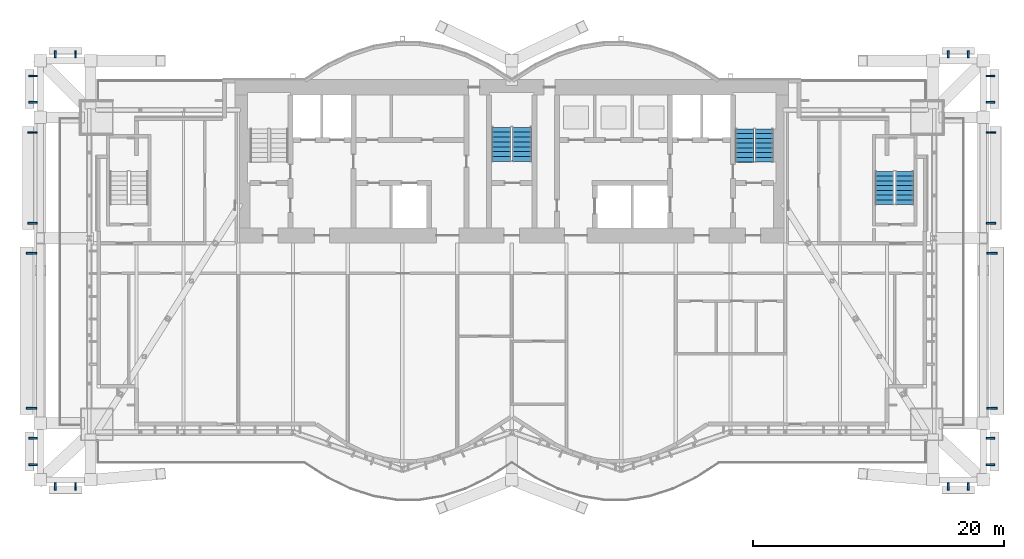
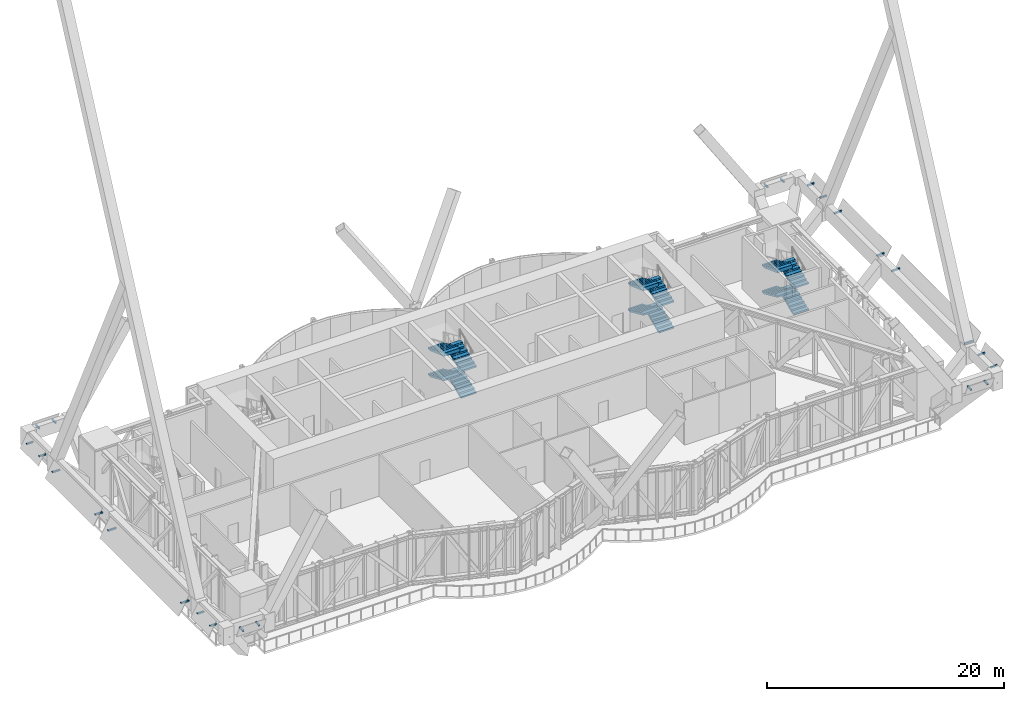
# One storey, part 27 of 31: 24 discrete accessories, 12 stair flights, 3 elements without a shape of their own.
"""IFC4 building model written with IfcOpenShell, lengths in metres."""

from ifc_helpers import new_model, si_unit, direction, frame, origin, origin_2d, place, context, subcontext, project, spatial, polyline, rectangle, outline, extrude, material, type_object, element, aggregate, save


model = new_model("IFC4")

# Units and contexts
model_context = context("Model", 3, precision=1e-05, world=origin(), true_north=direction((0.0, 1.0)))
body_context = subcontext(model_context, "Body", "Model", "MODEL_VIEW")
ifc_project = project(units=[si_unit("LENGTHUNIT", "METRE"), si_unit("AREAUNIT", "SQUARE_METRE"), si_unit("VOLUMEUNIT", "CUBIC_METRE"), si_unit("PLANEANGLEUNIT", "RADIAN"), si_unit("MASSUNIT", "GRAM", prefix="KILO")], contexts=[model_context])

# Site, building, storey
site_placement = place(None, origin())
site = spatial("IfcSite", under=ifc_project, at=site_placement, CompositionType="ELEMENT")
building_placement = place(site_placement, origin())
building = spatial("IfcBuilding", under=site, at=building_placement, Name="Bicima Exchange Tower", CompositionType="ELEMENT")
storey_placement = place(building_placement, frame((0.0, 0.0, 236.0)))
storey = spatial("IfcBuildingStorey", under=building, at=storey_placement, Name="L53", CompositionType="ELEMENT", Elevation=236.0)

# Stair, stair flights
ifc_material_1 = material(Name="Concrete C50/60", Category="concrete")
stair_type_1 = type_object("IfcStairType", Name="Exit stair", PredefinedType="HALF_TURN_STAIR", material=ifc_material_1)
stair_1_placement = place(storey_placement, origin())
stair_1 = element("IfcStair", 1, at=stair_1_placement, inside=storey, type_object=stair_type_1, Name="L53 East exit stair", PredefinedType="HALF_TURN_STAIR")
stair_flight_type_1 = type_object("IfcStairFlightType", Name="Stair flight RC", PredefinedType="STRAIGHT", material=ifc_material_1)
stair_flight_1_placement = place(storey_placement, frame((20.074951171875, -6.550048828125, 0.0), z_axis=(0.0, 0.0, 1.0), x_axis=(0.0, 1.0, 0.0)))
stair_flight_1 = element("IfcStairFlight", 2, at=stair_flight_1_placement, type_object=stair_flight_type_1, Name="ST-E flight 1", NumberOfRisers=8, NumberOfTreads=7, PredefinedType="STRAIGHT", RiserHeight=0.16875, TreadLength=0.375714286, context=body_context, shape_type="SweptSolid", body=[
    extrude(outline(polyline([(0.0, 0.0), (0.0, 0.168701171875), (0.375732421875, 0.168701171875), (0.375732421875, 0.33740234375), (0.75146484375, 0.33740234375), (0.75146484375, 0.50634765625), (1.127197265625, 0.50634765625), (1.127197265625, 0.675048828125), (1.5029296875, 0.675048828125), (1.5029296875, 0.84375), (1.878662109375, 0.84375), (1.878662109375, 1.012451171875), (2.25439453125, 1.012451171875), (2.25439453125, 1.18115234375), (2.6298828125, 1.18115234375), (2.6298828125, 1.35009765625), (2.6298828125, 1.016845703125), (0.365966796875, 0.0), (0.0, 0.0)])), frame((0.0, 0.72509765625, 0.0), z_axis=(0.0, -1.0, 0.0), x_axis=(1.0, 0.0, 0.0)), (0.0, 0.0, 1.0), 1.449951171875),
])
stair_flight_2_placement = place(storey_placement, frame((18.52490234375, -3.919921875, 1.35009765625), z_axis=(0.0, 0.0, 1.0), x_axis=(0.0, -1.0, 0.0)))
stair_flight_2 = element("IfcStairFlight", 3, at=stair_flight_2_placement, type_object=stair_flight_type_1, Name="ST-E flight 2", NumberOfRisers=8, NumberOfTreads=7, PredefinedType="STRAIGHT", RiserHeight=0.16875, TreadLength=0.375714286, context=body_context, shape_type="SweptSolid", body=[
    extrude(outline(polyline([(0.0, 0.0), (0.0, 0.168701171875), (0.375732421875, 0.168701171875), (0.375732421875, 0.33740234375), (0.75146484375, 0.33740234375), (0.75146484375, 0.50634765625), (1.127197265625, 0.50634765625), (1.127197265625, 0.675048828125), (1.5029296875, 0.675048828125), (1.5029296875, 0.84375), (1.878662109375, 0.84375), (1.878662109375, 1.012451171875), (2.25439453125, 1.012451171875), (2.25439453125, 1.18115234375), (2.6298828125, 1.18115234375), (2.6298828125, 1.35009765625), (2.6298828125, 1.016845703125), (0.365966796875, 0.0), (0.0, 0.0)])), frame((0.0, 0.72509765625, 0.0), z_axis=(0.0, -1.0, 0.0), x_axis=(1.0, 0.0, 0.0)), (0.0, 0.0, 1.0), 1.449951171875),
])
stair_flight_3_placement = place(storey_placement, frame((20.074951171875, -6.550048828125, 2.699951171875), z_axis=(0.0, 0.0, 1.0), x_axis=(0.0, 1.0, 0.0)))
stair_flight_3 = element("IfcStairFlight", 4, at=stair_flight_3_placement, type_object=stair_flight_type_1, Name="ST-E flight 3", NumberOfRisers=8, NumberOfTreads=7, PredefinedType="STRAIGHT", RiserHeight=0.16875, TreadLength=0.375714286, context=body_context, shape_type="SweptSolid", body=[
    extrude(outline(polyline([(0.0, 0.0), (0.0, 0.168701171875), (0.375732421875, 0.168701171875), (0.375732421875, 0.33740234375), (0.75146484375, 0.33740234375), (0.75146484375, 0.50634765625), (1.127197265625, 0.50634765625), (1.127197265625, 0.675048828125), (1.5029296875, 0.675048828125), (1.5029296875, 0.84375), (1.878662109375, 0.84375), (1.878662109375, 1.012451171875), (2.25439453125, 1.012451171875), (2.25439453125, 1.18115234375), (2.6298828125, 1.18115234375), (2.6298828125, 1.35009765625), (2.6298828125, 1.016845703125), (0.365966796875, 0.0), (0.0, 0.0)])), frame((0.0, 0.72509765625, 0.0), z_axis=(0.0, -1.0, 0.0), x_axis=(1.0, 0.0, 0.0)), (0.0, 0.0, 1.0), 1.449951171875),
])
stair_flight_4_placement = place(storey_placement, frame((18.52490234375, -3.919921875, 4.050048828125), z_axis=(0.0, 0.0, 1.0), x_axis=(0.0, -1.0, 0.0)))
stair_flight_4 = element("IfcStairFlight", 5, at=stair_flight_4_placement, type_object=stair_flight_type_1, Name="ST-E flight 4", NumberOfRisers=8, NumberOfTreads=7, PredefinedType="STRAIGHT", RiserHeight=0.16875, TreadLength=0.375714286, context=body_context, shape_type="SweptSolid", body=[
    extrude(outline(polyline([(0.0, 0.0), (0.0, 0.168701171875), (0.375732421875, 0.168701171875), (0.375732421875, 0.33740234375), (0.75146484375, 0.33740234375), (0.75146484375, 0.50634765625), (1.127197265625, 0.50634765625), (1.127197265625, 0.675048828125), (1.5029296875, 0.675048828125), (1.5029296875, 0.84375), (1.878662109375, 0.84375), (1.878662109375, 1.012451171875), (2.25439453125, 1.012451171875), (2.25439453125, 1.18115234375), (2.6298828125, 1.18115234375), (2.6298828125, 1.2041015625), (2.64501953125, 1.2041015625), (2.64501953125, 0.85498046875), (0.365966796875, 0.0), (0.0, 0.0)])), frame((0.0, 0.72509765625, 0.0), z_axis=(0.0, -1.0, 0.0), x_axis=(1.0, 0.0, 0.0)), (0.0, 0.0, 1.0), 1.449951171875),
])
aggregate(stair_1, [stair_flight_1, stair_flight_2, stair_flight_3, stair_flight_4])

stair_2_placement = place(storey_placement, origin())
stair_2 = element("IfcStair", 6, at=stair_2_placement, inside=storey, type_object=stair_type_1, Name="L53 East end exit stair", PredefinedType="HALF_TURN_STAIR")
stair_flight_5_placement = place(storey_placement, frame((31.25, -9.925048828125, 0.0), z_axis=(0.0, 0.0, 1.0), x_axis=(0.0, 1.0, 0.0)))
stair_flight_5 = element("IfcStairFlight", 7, at=stair_flight_5_placement, type_object=stair_flight_type_1, Name="ST-EE flight 1", NumberOfRisers=8, NumberOfTreads=7, PredefinedType="STRAIGHT", RiserHeight=0.16875, TreadLength=0.375714286, context=body_context, shape_type="SweptSolid", body=[
    extrude(outline(polyline([(0.0, 0.0), (0.0, 0.168701171875), (0.375732421875, 0.168701171875), (0.375732421875, 0.33740234375), (0.75146484375, 0.33740234375), (0.75146484375, 0.50634765625), (1.127197265625, 0.50634765625), (1.127197265625, 0.675048828125), (1.5029296875, 0.675048828125), (1.5029296875, 0.84375), (1.878662109375, 0.84375), (1.878662109375, 1.012451171875), (2.25439453125, 1.012451171875), (2.25439453125, 1.18115234375), (2.6298828125, 1.18115234375), (2.6298828125, 1.35009765625), (2.6298828125, 1.016845703125), (0.365966796875, 0.0), (0.0, 0.0)])), frame((0.0, 0.72509765625, 0.0), z_axis=(0.0, -1.0, 0.0), x_axis=(1.0, 0.0, 0.0)), (0.0, 0.0, 1.0), 1.449951171875),
])
stair_flight_6_placement = place(storey_placement, frame((29.64990234375, -7.294921875, 1.35009765625), z_axis=(0.0, 0.0, 1.0), x_axis=(0.0, -1.0, 0.0)))
stair_flight_6 = element("IfcStairFlight", 8, at=stair_flight_6_placement, type_object=stair_flight_type_1, Name="ST-EE flight 2", NumberOfRisers=8, NumberOfTreads=7, PredefinedType="STRAIGHT", RiserHeight=0.16875, TreadLength=0.375714286, context=body_context, shape_type="SweptSolid", body=[
    extrude(outline(polyline([(0.0, 0.0), (0.0, 0.168701171875), (0.375732421875, 0.168701171875), (0.375732421875, 0.33740234375), (0.75146484375, 0.33740234375), (0.75146484375, 0.50634765625), (1.127197265625, 0.50634765625), (1.127197265625, 0.675048828125), (1.5029296875, 0.675048828125), (1.5029296875, 0.84375), (1.878662109375, 0.84375), (1.878662109375, 1.012451171875), (2.25439453125, 1.012451171875), (2.25439453125, 1.18115234375), (2.6298828125, 1.18115234375), (2.6298828125, 1.35009765625), (2.6298828125, 1.016845703125), (0.365966796875, 0.0), (0.0, 0.0)])), frame((0.0, 0.72509765625, 0.0), z_axis=(0.0, -1.0, 0.0), x_axis=(1.0, 0.0, 0.0)), (0.0, 0.0, 1.0), 1.449951171875),
])
stair_flight_7_placement = place(storey_placement, frame((31.25, -9.925048828125, 2.699951171875), z_axis=(0.0, 0.0, 1.0), x_axis=(0.0, 1.0, 0.0)))
stair_flight_7 = element("IfcStairFlight", 9, at=stair_flight_7_placement, type_object=stair_flight_type_1, Name="ST-EE flight 3", NumberOfRisers=8, NumberOfTreads=7, PredefinedType="STRAIGHT", RiserHeight=0.16875, TreadLength=0.375714286, context=body_context, shape_type="SweptSolid", body=[
    extrude(outline(polyline([(0.0, 0.0), (0.0, 0.168701171875), (0.375732421875, 0.168701171875), (0.375732421875, 0.33740234375), (0.75146484375, 0.33740234375), (0.75146484375, 0.50634765625), (1.127197265625, 0.50634765625), (1.127197265625, 0.675048828125), (1.5029296875, 0.675048828125), (1.5029296875, 0.84375), (1.878662109375, 0.84375), (1.878662109375, 1.012451171875), (2.25439453125, 1.012451171875), (2.25439453125, 1.18115234375), (2.6298828125, 1.18115234375), (2.6298828125, 1.35009765625), (2.6298828125, 1.016845703125), (0.365966796875, 0.0), (0.0, 0.0)])), frame((0.0, 0.72509765625, 0.0), z_axis=(0.0, -1.0, 0.0), x_axis=(1.0, 0.0, 0.0)), (0.0, 0.0, 1.0), 1.449951171875),
])
stair_flight_8_placement = place(storey_placement, frame((29.64990234375, -7.294921875, 4.050048828125), z_axis=(0.0, 0.0, 1.0), x_axis=(0.0, -1.0, 0.0)))
stair_flight_8 = element("IfcStairFlight", 10, at=stair_flight_8_placement, type_object=stair_flight_type_1, Name="ST-EE flight 4", NumberOfRisers=8, NumberOfTreads=7, PredefinedType="STRAIGHT", RiserHeight=0.16875, TreadLength=0.375714286, context=body_context, shape_type="SweptSolid", body=[
    extrude(outline(polyline([(0.0, 0.0), (0.0, 0.168701171875), (0.375732421875, 0.168701171875), (0.375732421875, 0.33740234375), (0.75146484375, 0.33740234375), (0.75146484375, 0.50634765625), (1.127197265625, 0.50634765625), (1.127197265625, 0.675048828125), (1.5029296875, 0.675048828125), (1.5029296875, 0.84375), (1.878662109375, 0.84375), (1.878662109375, 1.012451171875), (2.25439453125, 1.012451171875), (2.25439453125, 1.18115234375), (2.6298828125, 1.18115234375), (2.6298828125, 1.2041015625), (2.64501953125, 1.2041015625), (2.64501953125, 0.85498046875), (0.365966796875, 0.0), (0.0, 0.0)])), frame((0.0, 0.72509765625, 0.0), z_axis=(0.0, -1.0, 0.0), x_axis=(1.0, 0.0, 0.0)), (0.0, 0.0, 1.0), 1.449951171875),
])
aggregate(stair_2, [stair_flight_5, stair_flight_6, stair_flight_7, stair_flight_8])

stair_type_2 = type_object("IfcStairType", Name="Exit stair 1500", PredefinedType="HALF_TURN_STAIR", material=ifc_material_1)
stair_3_placement = place(storey_placement, origin())
stair_3 = element("IfcStair", 11, at=stair_3_placement, inside=storey, type_object=stair_type_2, Name="L53 Central exit stair", PredefinedType="HALF_TURN_STAIR")
stair_flight_type_2 = type_object("IfcStairFlightType", Name="Stair flight RC 1500", PredefinedType="STRAIGHT", material=ifc_material_1)
stair_flight_9_placement = place(storey_placement, frame((0.824951171875, -6.5, 0.0), z_axis=(0.0, 0.0, 1.0), x_axis=(0.0, 1.0, 0.0)))
stair_flight_9 = element("IfcStairFlight", 12, at=stair_flight_9_placement, type_object=stair_flight_type_2, Name="ST-C flight 1", NumberOfRisers=8, NumberOfTreads=7, PredefinedType="STRAIGHT", RiserHeight=0.16875, TreadLength=0.388571429, context=body_context, shape_type="SweptSolid", body=[
    extrude(outline(polyline([(0.0, 0.0), (0.0, 0.168701171875), (0.388671875, 0.168701171875), (0.388671875, 0.33740234375), (0.777099609375, 0.33740234375), (0.777099609375, 0.50634765625), (1.165771484375, 0.50634765625), (1.165771484375, 0.675048828125), (1.55419921875, 0.675048828125), (1.55419921875, 0.84375), (1.94287109375, 0.84375), (1.94287109375, 1.012451171875), (2.33154296875, 1.012451171875), (2.33154296875, 1.18115234375), (2.719970703125, 1.18115234375), (2.719970703125, 1.35009765625), (2.719970703125, 1.017822265625), (0.376220703125, 0.0), (0.0, 0.0)])), frame((0.0, 0.75, 0.0), z_axis=(0.0, -1.0, 0.0), x_axis=(1.0, 0.0, 0.0)), (0.0, 0.0, 1.0), 1.5),
])
stair_flight_10_placement = place(storey_placement, frame((-0.824951171875, -3.780029296875, 1.35009765625), z_axis=(0.0, 0.0, 1.0), x_axis=(0.0, -1.0, 0.0)))
stair_flight_10 = element("IfcStairFlight", 13, at=stair_flight_10_placement, type_object=stair_flight_type_2, Name="ST-C flight 2", NumberOfRisers=8, NumberOfTreads=7, PredefinedType="STRAIGHT", RiserHeight=0.16875, TreadLength=0.388571429, context=body_context, shape_type="SweptSolid", body=[
    extrude(outline(polyline([(0.0, 0.0), (0.0, 0.168701171875), (0.388671875, 0.168701171875), (0.388671875, 0.33740234375), (0.777099609375, 0.33740234375), (0.777099609375, 0.50634765625), (1.165771484375, 0.50634765625), (1.165771484375, 0.675048828125), (1.55419921875, 0.675048828125), (1.55419921875, 0.84375), (1.94287109375, 0.84375), (1.94287109375, 1.012451171875), (2.33154296875, 1.012451171875), (2.33154296875, 1.18115234375), (2.719970703125, 1.18115234375), (2.719970703125, 1.35009765625), (2.719970703125, 1.017822265625), (0.376220703125, 0.0), (0.0, 0.0)])), frame((0.0, 0.75, 0.0), z_axis=(0.0, -1.0, 0.0), x_axis=(1.0, 0.0, 0.0)), (0.0, 0.0, 1.0), 1.5),
])
stair_flight_11_placement = place(storey_placement, frame((0.824951171875, -6.5, 2.699951171875), z_axis=(0.0, 0.0, 1.0), x_axis=(0.0, 1.0, 0.0)))
stair_flight_11 = element("IfcStairFlight", 14, at=stair_flight_11_placement, type_object=stair_flight_type_2, Name="ST-C flight 3", NumberOfRisers=8, NumberOfTreads=7, PredefinedType="STRAIGHT", RiserHeight=0.16875, TreadLength=0.388571429, context=body_context, shape_type="SweptSolid", body=[
    extrude(outline(polyline([(0.0, 0.0), (0.0, 0.168701171875), (0.388671875, 0.168701171875), (0.388671875, 0.33740234375), (0.777099609375, 0.33740234375), (0.777099609375, 0.50634765625), (1.165771484375, 0.50634765625), (1.165771484375, 0.675048828125), (1.55419921875, 0.675048828125), (1.55419921875, 0.84375), (1.94287109375, 0.84375), (1.94287109375, 1.012451171875), (2.33154296875, 1.012451171875), (2.33154296875, 1.18115234375), (2.719970703125, 1.18115234375), (2.719970703125, 1.35009765625), (2.719970703125, 1.017822265625), (0.376220703125, 0.0), (0.0, 0.0)])), frame((0.0, 0.75, 0.0), z_axis=(0.0, -1.0, 0.0), x_axis=(1.0, 0.0, 0.0)), (0.0, 0.0, 1.0), 1.5),
])
stair_flight_12_placement = place(storey_placement, frame((-0.824951171875, -3.780029296875, 4.050048828125), z_axis=(0.0, 0.0, 1.0), x_axis=(0.0, -1.0, 0.0)))
stair_flight_12 = element("IfcStairFlight", 15, at=stair_flight_12_placement, type_object=stair_flight_type_2, Name="ST-C flight 4", NumberOfRisers=8, NumberOfTreads=7, PredefinedType="STRAIGHT", RiserHeight=0.16875, TreadLength=0.388571429, context=body_context, shape_type="SweptSolid", body=[
    extrude(outline(polyline([(0.0, 0.0), (0.0, 0.168701171875), (0.388671875, 0.168701171875), (0.388671875, 0.33740234375), (0.777099609375, 0.33740234375), (0.777099609375, 0.50634765625), (1.165771484375, 0.50634765625), (1.165771484375, 0.675048828125), (1.55419921875, 0.675048828125), (1.55419921875, 0.84375), (1.94287109375, 0.84375), (1.94287109375, 1.012451171875), (2.33154296875, 1.012451171875), (2.33154296875, 1.18115234375), (2.719970703125, 1.18115234375), (2.719970703125, 1.2041015625), (2.735107421875, 1.2041015625), (2.735107421875, 0.85546875), (0.376220703125, 0.0), (0.0, 0.0)])), frame((0.0, 0.75, 0.0), z_axis=(0.0, -1.0, 0.0), x_axis=(1.0, 0.0, 0.0)), (0.0, 0.0, 1.0), 1.5),
])
aggregate(stair_3, [stair_flight_9, stair_flight_10, stair_flight_11, stair_flight_12])

# Discrete accessories
ifc_material_2 = material(Name="Steel ASTM A572 Gr 50", Category="steel")
discrete_accessory_type = type_object("IfcDiscreteAccessoryType", Name="Belt fascia bracket", PredefinedType="BRACKET", material=ifc_material_2)
for number, where, z_axis, x_axis, name in (
    (16, (-36.300048828125, -32.355224609375, 4.574951171875), (0.0, 0.0, 1.0), (1.0, 0.0, 0.0), "Belt fascia bracket"),
    (17, (-34.699951171875, -32.355224609375, 4.574951171875), (0.0, 0.0, 1.0), (1.0, 0.0, 0.0), "Belt fascia bracket"),
    (18, (34.699951171875, -32.355224609375, 4.574951171875), (0.0, 0.0, 1.0), (1.0, 0.0, 0.0), "Belt fascia bracket"),
    (19, (36.300048828125, -32.355224609375, 4.574951171875), (0.0, 0.0, 1.0), (1.0, 0.0, 0.0), "Belt fascia bracket"),
):
    element("IfcDiscreteAccessory", number, at=place(storey_placement, frame(where, z_axis=z_axis, x_axis=x_axis)), inside=storey, type_object=discrete_accessory_type, Name=name, PredefinedType="BRACKET", context=body_context, shape_type="SweptSolid", body=[
        extrude(rectangle(XDim=0.14990234375, YDim=0.59326171875, at=origin_2d()), origin(), (0.0, 0.0, 1.0), 0.14990234375),
    ])
for number, where, z_axis, x_axis, name in (
    (20, (38.065673828125, -30.628662109375, 4.574951171875), (0.0, 0.0, 1.0), (0.0, 1.0, 0.0), "Belt fascia bracket"),
    (21, (38.065673828125, -28.52880859375, 4.574951171875), (0.0, 0.0, 1.0), (0.0, 1.0, 0.0), "Belt fascia bracket"),
):
    element("IfcDiscreteAccessory", number, at=place(storey_placement, frame(where, z_axis=z_axis, x_axis=x_axis)), inside=storey, type_object=discrete_accessory_type, Name=name, PredefinedType="BRACKET", context=body_context, shape_type="SweptSolid", body=[
        extrude(rectangle(XDim=0.14990234375, YDim=0.671142578125, at=origin_2d()), origin(), (0.0, 0.0, 1.0), 0.14990234375),
    ])
for number, where, z_axis, x_axis, name in (
    (22, (38.197998046875, -26.128662109375, 4.275146484375), (0.0, 0.0, 1.0), (0.0, 1.0, 0.0), "Belt fascia bracket"),
    (23, (38.197998046875, -13.800048828125, 4.275146484375), (0.0, 0.0, 1.0), (0.0, 1.0, 0.0), "Belt fascia bracket"),
):
    element("IfcDiscreteAccessory", number, at=place(storey_placement, frame(where, z_axis=z_axis, x_axis=x_axis)), inside=storey, type_object=discrete_accessory_type, Name=name, PredefinedType="BRACKET", context=body_context, shape_type="SweptSolid", body=[
        extrude(rectangle(XDim=0.14990234375, YDim=0.8359375, at=origin_2d()), origin(), (0.0, 0.0, 1.0), 0.14990234375),
    ])
for number, where, z_axis, x_axis, name in (
    (24, (38.106689453125, -11.39990234375, 4.425048828125), (0.0, 0.0, 1.0), (0.0, 1.0, 0.0), "Belt fascia bracket"),
    (25, (38.106689453125, -4.199951171875, 4.425048828125), (0.0, 0.0, 1.0), (0.0, 1.0, 0.0), "Belt fascia bracket"),
):
    element("IfcDiscreteAccessory", number, at=place(storey_placement, frame(where, z_axis=z_axis, x_axis=x_axis)), inside=storey, type_object=discrete_accessory_type, Name=name, PredefinedType="BRACKET", context=body_context, shape_type="SweptSolid", body=[
        extrude(rectangle(XDim=0.14990234375, YDim=0.75341796875, at=origin_2d()), origin(), (0.0, 0.0, 1.0), 0.14990234375),
    ])
for number, where, z_axis, x_axis, name in (
    (26, (38.065673828125, -1.800048828125, 4.574951171875), (0.0, 0.0, 1.0), (0.0, 1.0, 0.0), "Belt fascia bracket"),
    (27, (38.065673828125, 0.300048828125, 4.574951171875), (0.0, 0.0, 1.0), (0.0, 1.0, 0.0), "Belt fascia bracket"),
):
    element("IfcDiscreteAccessory", number, at=place(storey_placement, frame(where, z_axis=z_axis, x_axis=x_axis)), inside=storey, type_object=discrete_accessory_type, Name=name, PredefinedType="BRACKET", context=body_context, shape_type="SweptSolid", body=[
        extrude(rectangle(XDim=0.14990234375, YDim=0.671142578125, at=origin_2d()), origin(), (0.0, 0.0, 1.0), 0.14990234375),
    ])
for number, where, z_axis, x_axis, name in (
    (28, (36.300048828125, 2.026611328125, 4.574951171875), (0.0, 0.0, 1.0), (-1.0, 0.0, 0.0), "Belt fascia bracket"),
    (29, (34.699951171875, 2.026611328125, 4.574951171875), (0.0, 0.0, 1.0), (-1.0, 0.0, 0.0), "Belt fascia bracket"),
    (30, (-34.699951171875, 2.026611328125, 4.574951171875), (0.0, 0.0, 1.0), (-1.0, 0.0, 0.0), "Belt fascia bracket"),
    (31, (-36.300048828125, 2.026611328125, 4.574951171875), (0.0, 0.0, 1.0), (-1.0, 0.0, 0.0), "Belt fascia bracket"),
):
    element("IfcDiscreteAccessory", number, at=place(storey_placement, frame(where, z_axis=z_axis, x_axis=x_axis)), inside=storey, type_object=discrete_accessory_type, Name=name, PredefinedType="BRACKET", context=body_context, shape_type="SweptSolid", body=[
        extrude(rectangle(XDim=0.14990234375, YDim=0.59326171875, at=origin_2d()), origin(), (0.0, 0.0, 1.0), 0.14990234375),
    ])
for number, where, z_axis, x_axis, name in (
    (32, (-38.065673828125, 0.300048828125, 4.574951171875), (0.0, 0.0, 1.0), (0.0, -1.0, 0.0), "Belt fascia bracket"),
    (33, (-38.065673828125, -1.800048828125, 4.574951171875), (0.0, 0.0, 1.0), (0.0, -1.0, 0.0), "Belt fascia bracket"),
):
    element("IfcDiscreteAccessory", number, at=place(storey_placement, frame(where, z_axis=z_axis, x_axis=x_axis)), inside=storey, type_object=discrete_accessory_type, Name=name, PredefinedType="BRACKET", context=body_context, shape_type="SweptSolid", body=[
        extrude(rectangle(XDim=0.14990234375, YDim=0.671142578125, at=origin_2d()), origin(), (0.0, 0.0, 1.0), 0.14990234375),
    ])
for number, where, z_axis, x_axis, name in (
    (34, (-38.106689453125, -4.199951171875, 4.425048828125), (0.0, 0.0, 1.0), (0.0, -1.0, 0.0), "Belt fascia bracket"),
    (35, (-38.106689453125, -11.39990234375, 4.425048828125), (0.0, 0.0, 1.0), (0.0, -1.0, 0.0), "Belt fascia bracket"),
):
    element("IfcDiscreteAccessory", number, at=place(storey_placement, frame(where, z_axis=z_axis, x_axis=x_axis)), inside=storey, type_object=discrete_accessory_type, Name=name, PredefinedType="BRACKET", context=body_context, shape_type="SweptSolid", body=[
        extrude(rectangle(XDim=0.14990234375, YDim=0.75341796875, at=origin_2d()), origin(), (0.0, 0.0, 1.0), 0.14990234375),
    ])
for number, where, z_axis, x_axis, name in (
    (36, (-38.197998046875, -13.800048828125, 4.275146484375), (0.0, 0.0, 1.0), (0.0, -1.0, 0.0), "Belt fascia bracket"),
    (37, (-38.197998046875, -26.128662109375, 4.275146484375), (0.0, 0.0, 1.0), (0.0, -1.0, 0.0), "Belt fascia bracket"),
):
    element("IfcDiscreteAccessory", number, at=place(storey_placement, frame(where, z_axis=z_axis, x_axis=x_axis)), inside=storey, type_object=discrete_accessory_type, Name=name, PredefinedType="BRACKET", context=body_context, shape_type="SweptSolid", body=[
        extrude(rectangle(XDim=0.14990234375, YDim=0.8359375, at=origin_2d()), origin(), (0.0, 0.0, 1.0), 0.14990234375),
    ])
for number, where, z_axis, x_axis, name in (
    (38, (-38.065673828125, -28.52880859375, 4.574951171875), (0.0, 0.0, 1.0), (0.0, -1.0, 0.0), "Belt fascia bracket"),
    (39, (-38.065673828125, -30.628662109375, 4.574951171875), (0.0, 0.0, 1.0), (0.0, -1.0, 0.0), "Belt fascia bracket"),
):
    element("IfcDiscreteAccessory", number, at=place(storey_placement, frame(where, z_axis=z_axis, x_axis=x_axis)), inside=storey, type_object=discrete_accessory_type, Name=name, PredefinedType="BRACKET", context=body_context, shape_type="SweptSolid", body=[
        extrude(rectangle(XDim=0.14990234375, YDim=0.671142578125, at=origin_2d()), origin(), (0.0, 0.0, 1.0), 0.14990234375),
    ])

save(model, "model.ifc")
